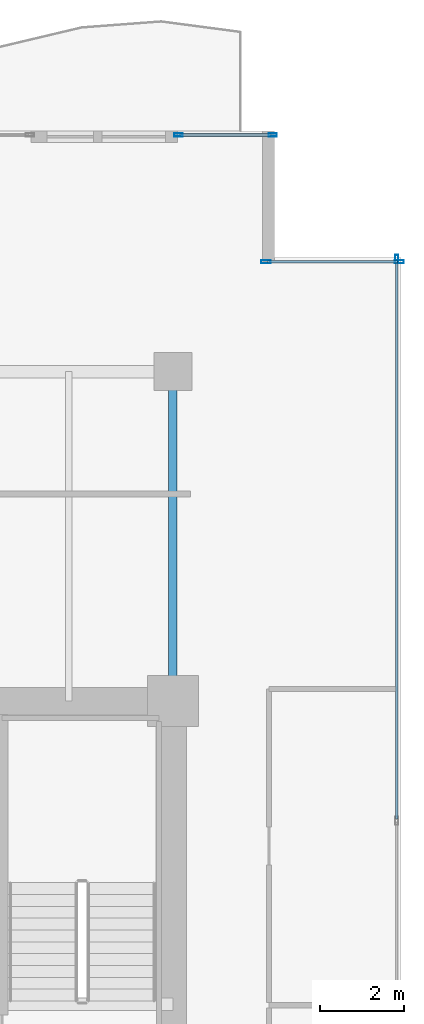
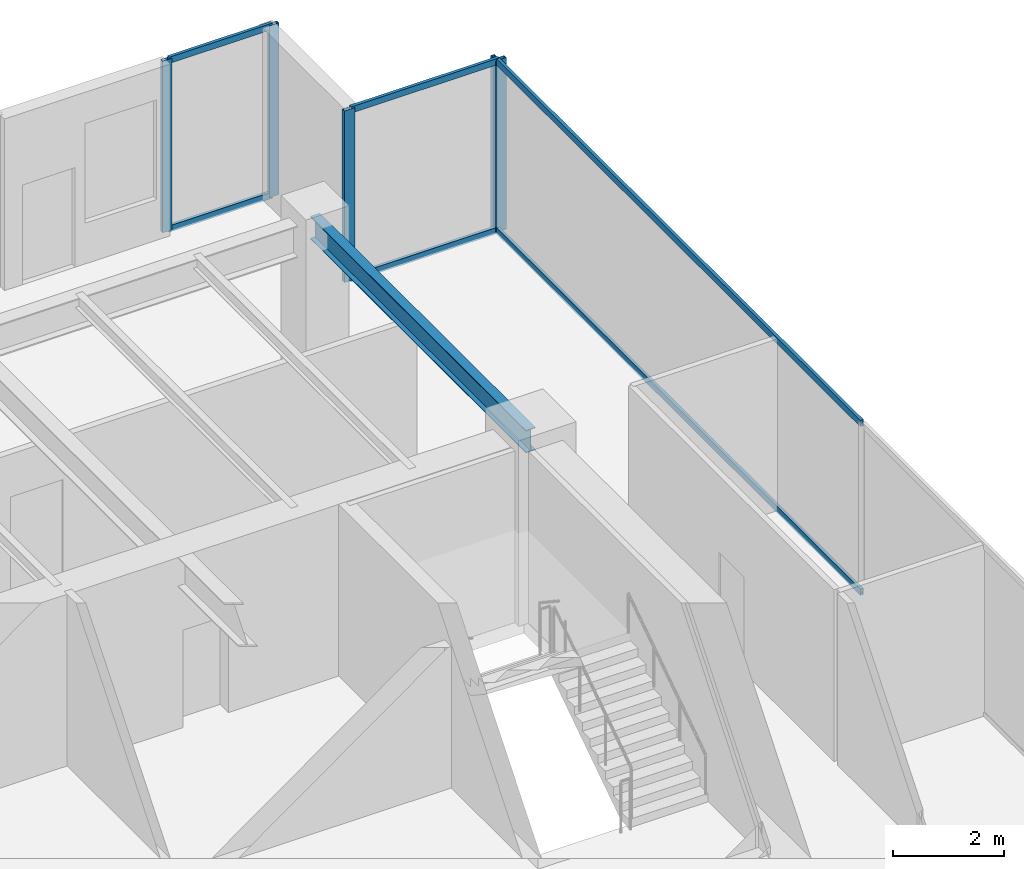
# One storey, part 21 of 30: 11 members, 1 beam, 3 elements without a shape of their own.
"""IFC4 building model written with IfcOpenShell, lengths in metres."""

from ifc_helpers import new_model, si_unit, direction, frame, origin, origin_2d, place, context, subcontext, project, spatial, hollow_rectangle, i_section, extrude, source, transform, mapped, material, layer, layer_set, material_profile, profile_set, type_object, type_shapes, element, aggregate, save


model = new_model("IFC4")

# Units and contexts
model_context = context("Model", 3, precision=1e-05, world=origin(), true_north=direction((0.0, 1.0)))
body_context = subcontext(model_context, "Body", "Model", "MODEL_VIEW")
ifc_project = project(units=[si_unit("LENGTHUNIT", "METRE"), si_unit("AREAUNIT", "SQUARE_METRE"), si_unit("VOLUMEUNIT", "CUBIC_METRE"), si_unit("PLANEANGLEUNIT", "RADIAN"), si_unit("MASSUNIT", "GRAM", prefix="KILO")], contexts=[model_context])

# Site, building, storey
site_placement = place(None, origin())
site = spatial("IfcSite", under=ifc_project, at=site_placement, CompositionType="ELEMENT")
building_placement = place(site_placement, origin())
building = spatial("IfcBuilding", under=site, at=building_placement, Name="Haelvirn Gate Laboratories", CompositionType="ELEMENT")
storey_placement = place(building_placement, frame((0.0, 0.0, 146.10009765625)))
storey = spatial("IfcBuildingStorey", under=building, at=storey_placement, Name="L35", CompositionType="ELEMENT", Elevation=146.10009765625)

# Beam
ifc_material_1 = material(Name="Steel SM355", Category="steel")
ifc_material_profile_1 = material_profile(ifc_material_1, i_section(OverallWidth=0.199951171875, OverallDepth=0.5, WebThickness=0.010009765625, FlangeThickness=0.01611328125, at=origin_2d()), Name="H-500x200x10x16")
ifc_profile_set_1 = profile_set([ifc_material_profile_1], Name="Steel SM355")
beam_type = type_object("IfcBeamType", Name="BM-SP-500", PredefinedType="SPANDREL", material=ifc_profile_set_1)
shared_shape_1 = source(origin(), body_context, "Body", "SweptSolid", [
    extrude(i_section(OverallWidth=0.199951171875, OverallDepth=0.5, WebThickness=0.010009765625, FlangeThickness=0.01611328125, at=origin_2d()), origin(), (0.0, 0.0, 1.0), 7.800048828125),
])
type_shapes(beam_type, [shared_shape_1])
beam_placement = place(storey_placement, frame((67.39990234375, 33.800048828125, 3.539794921875), z_axis=(0.0, 1.0, 0.0), x_axis=(-1.0, 0.0, 0.0)))
element("IfcBeam", 1, at=beam_placement, inside=storey, type_object=beam_type, Name="L35 Perimeter Spandrel X67.4 (33.8-41.6)", PredefinedType="SPANDREL", context=body_context, shape_type="MappedRepresentation", body=[
    mapped(shared_shape_1, transform((0.0, 0.0, 0.0), scale=1.0)),
])

# Curtain wall, members
ifc_material_2 = material(Name="Anodised bronze unitised aluminium & triple low-E glass", Category="aluminium")
ifc_layer_1 = layer(ifc_material_2, 0.181884765625, Name="CW-SYS-5")
ifc_layer_set_1 = layer_set([ifc_layer_1], Name="Anodised bronze unitised aluminium & triple low-E glass")
curtain_wall_type_1 = type_object("IfcCurtainWallType", Name="CW-SYS-5", PredefinedType="NOTDEFINED", material=ifc_layer_set_1)
curtain_wall_1_placement = place(storey_placement, origin())
curtain_wall_1 = element("IfcCurtainWall", 2, at=curtain_wall_1_placement, inside=storey, type_object=curtain_wall_type_1, Name="L35 Unitised Curtain Wall CW-L35-P0-E08-1", PredefinedType="NOTDEFINED")
ifc_material_3 = material(Name="Extruded aluminium 6063-T6 (anodised bronze)", Category="aluminium")
ifc_material_profile_2 = material_profile(ifc_material_3, hollow_rectangle(XDim=0.06494140625, YDim=0.139892578125, WallThickness=0.00390625, at=origin_2d()), Name="CWT-140x65x4")
ifc_profile_set_2 = profile_set([ifc_material_profile_2], Name="Extruded aluminium 6063-T6 (anodised bronze)")
member_type_1 = type_object("IfcMemberType", Name="CWT-T140", PredefinedType="USERDEFINED", material=ifc_profile_set_2)
shared_shape_2 = source(origin(), body_context, "Body", "SweptSolid", [
    extrude(hollow_rectangle(XDim=0.06494140625, YDim=0.139892578125, WallThickness=0.00390625, at=origin_2d()), origin(), (0.0, 0.0, 1.0), 3.080078125),
])
member_1_placement = place(storey_placement, frame((69.639892578125, 44.199951171875, 0.032470703125), z_axis=(1.0, 0.0, 0.0), x_axis=(0.0, 1.0, 0.0)))
member_1 = element("IfcMember", 3, at=member_1_placement, type_object=member_type_1, Name="CW5 transom 1.1", ObjectType="TRANSOM", PredefinedType="USERDEFINED", context=body_context, shape_type="MappedRepresentation", body=[
    mapped(shared_shape_2, transform((0.0, 0.0, 0.0), scale=1.0)),
])
member_2_placement = place(storey_placement, frame((69.639892578125, 44.199951171875, 3.75732421875), z_axis=(1.0, 0.0, 0.0), x_axis=(0.0, 1.0, 0.0)))
member_2 = element("IfcMember", 4, at=member_2_placement, type_object=member_type_1, Name="CW5 transom 1.2", ObjectType="TRANSOM", PredefinedType="USERDEFINED", context=body_context, shape_type="MappedRepresentation", body=[
    mapped(shared_shape_2, transform((0.0, 0.0, 0.0), scale=1.0)),
])

ifc_layer_2 = layer(ifc_material_2, 0.179931640625, Name="CW-SYS-3")
ifc_layer_set_2 = layer_set([ifc_layer_2], Name="Anodised bronze unitised aluminium & triple low-E glass")
curtain_wall_type_2 = type_object("IfcCurtainWallType", Name="CW-SYS-3", PredefinedType="NOTDEFINED", material=ifc_layer_set_2)
curtain_wall_2_placement = place(storey_placement, origin())
curtain_wall_2 = element("IfcCurtainWall", 5, at=curtain_wall_2_placement, inside=storey, type_object=curtain_wall_type_2, Name="L35 Unitised Curtain Wall CW-L35-P0-E07", PredefinedType="NOTDEFINED")
shared_shape_3 = source(origin(), body_context, "Body", "SweptSolid", [
    extrude(hollow_rectangle(XDim=0.06494140625, YDim=0.139892578125, WallThickness=0.00390625, at=origin_2d()), origin(), (0.0, 0.0, 1.0), 13.220947265625),
])
member_3_placement = place(storey_placement, frame((72.699951171875, 31.004150390625, 0.032470703125), z_axis=(0.0, 1.0, 0.0), x_axis=(-1.0, 0.0, 0.0)))
member_3 = element("IfcMember", 6, at=member_3_placement, type_object=member_type_1, Name="CW3 transom 3.1", ObjectType="TRANSOM", PredefinedType="USERDEFINED", context=body_context, shape_type="MappedRepresentation", body=[
    mapped(shared_shape_3, transform((0.0, 0.0, 0.0), scale=1.0)),
])
member_4_placement = place(storey_placement, frame((72.699951171875, 31.004150390625, 3.75732421875), z_axis=(0.0, 1.0, 0.0), x_axis=(-1.0, 0.0, 0.0)))
member_4 = element("IfcMember", 7, at=member_4_placement, type_object=member_type_1, Name="CW3 transom 3.2", ObjectType="TRANSOM", PredefinedType="USERDEFINED", context=body_context, shape_type="MappedRepresentation", body=[
    mapped(shared_shape_3, transform((0.0, 0.0, 0.0), scale=1.0)),
])
ifc_material_profile_3 = material_profile(ifc_material_3, hollow_rectangle(XDim=0.074951171875, YDim=0.199951171875, WallThickness=0.0048828125, at=origin_2d()), Name="CWM-200x75x5")
ifc_profile_set_3 = profile_set([ifc_material_profile_3], Name="Extruded aluminium 6063-T6 (anodised bronze)")
member_type_2 = type_object("IfcMemberType", Name="CWM-T200", PredefinedType="MULLION", material=ifc_profile_set_3)
shared_shape_4 = source(origin(), body_context, "Body", "SweptSolid", [
    extrude(hollow_rectangle(XDim=0.074951171875, YDim=0.199951171875, WallThickness=0.0048828125, at=origin_2d()), origin(), (0.0, 0.0, 1.0), 3.789794921875),
])
type_shapes(member_type_2, [shared_shape_4])
member_5_placement = place(storey_placement, frame((72.699951171875, 44.262451171875, 0.0), z_axis=(0.0, 0.0, 1.0), x_axis=(-1.0, 0.0, 0.0)))
member_5 = element("IfcMember", 8, at=member_5_placement, type_object=member_type_2, Name="CW3 mullion 4", PredefinedType="MULLION", context=body_context, shape_type="MappedRepresentation", body=[
    mapped(shared_shape_4, transform((0.0, 0.0, 0.0), scale=1.0)),
])
aggregate(curtain_wall_2, [member_5, member_3, member_4])

curtain_wall_3_placement = place(storey_placement, origin())
curtain_wall_3 = element("IfcCurtainWall", 9, at=curtain_wall_3_placement, inside=storey, type_object=curtain_wall_type_2, Name="L35 Unitised Curtain Wall CW-L35-P0-E10-2", PredefinedType="NOTDEFINED")
member_6_placement = place(storey_placement, frame((67.527587890625, 47.199951171875, 0.0), z_axis=(0.0, 0.0, 1.0), x_axis=(0.0, 1.0, 0.0)))
member_6 = element("IfcMember", 10, at=member_6_placement, type_object=member_type_2, Name="CW3 mullion 1", PredefinedType="MULLION", context=body_context, shape_type="MappedRepresentation", body=[
    mapped(shared_shape_4, transform((0.0, 0.0, 0.0), scale=1.0)),
])
member_7_placement = place(storey_placement, frame((69.762451171875, 47.199951171875, 0.0), z_axis=(0.0, 0.0, 1.0), x_axis=(0.0, 1.0, 0.0)))
member_7 = element("IfcMember", 11, at=member_7_placement, type_object=member_type_2, Name="CW3 mullion 2", PredefinedType="MULLION", context=body_context, shape_type="MappedRepresentation", body=[
    mapped(shared_shape_4, transform((0.0, 0.0, 0.0), scale=1.0)),
])

# Member
ifc_material_profile_4 = material_profile(ifc_material_3, hollow_rectangle(XDim=0.080078125, YDim=0.219970703125, WallThickness=0.006103515625, at=origin_2d()), Name="CWM-220x80x6")
ifc_profile_set_4 = profile_set([ifc_material_profile_4], Name="Extruded aluminium 6063-T6 (anodised bronze)")
member_type_3 = type_object("IfcMemberType", Name="CWM-T220", PredefinedType="MULLION", material=ifc_profile_set_4)
shared_shape_5 = source(origin(), body_context, "Body", "SweptSolid", [
    extrude(hollow_rectangle(XDim=0.080078125, YDim=0.219970703125, WallThickness=0.006103515625, at=origin_2d()), origin(), (0.0, 0.0, 1.0), 3.789794921875),
])
type_shapes(member_type_3, [shared_shape_5])
member_8_placement = place(storey_placement, frame((69.60009765625, 44.199951171875, 0.0), z_axis=(0.0, 0.0, 1.0), x_axis=(0.0, 1.0, 0.0)))
member_8 = element("IfcMember", 12, at=member_8_placement, type_object=member_type_3, Name="CW5 mullion 1", PredefinedType="MULLION", context=body_context, shape_type="MappedRepresentation", body=[
    mapped(shared_shape_5, transform((0.0, 0.0, 0.0), scale=1.0)),
])

member_9_placement = place(storey_placement, frame((72.760009765625, 44.199951171875, 0.0), z_axis=(0.0, 0.0, 1.0), x_axis=(0.0, 1.0, 0.0)))
member_9 = element("IfcMember", 13, at=member_9_placement, type_object=member_type_3, Name="CW5 mullion 2", PredefinedType="MULLION", context=body_context, shape_type="MappedRepresentation", body=[
    mapped(shared_shape_5, transform((0.0, 0.0, 0.0), scale=1.0)),
])

aggregate(curtain_wall_1, [member_8, member_9, member_1, member_2])

shared_shape_6 = source(origin(), body_context, "Body", "SweptSolid", [
    extrude(hollow_rectangle(XDim=0.06494140625, YDim=0.139892578125, WallThickness=0.00390625, at=origin_2d()), origin(), (0.0, 0.0, 1.0), 2.16015625),
])
type_shapes(member_type_1, [shared_shape_2, shared_shape_3, shared_shape_6])
member_10_placement = place(storey_placement, frame((67.56494140625, 47.199951171875, 0.032470703125), z_axis=(1.0, 0.0, 0.0), x_axis=(0.0, 1.0, 0.0)))
member_10 = element("IfcMember", 14, at=member_10_placement, type_object=member_type_1, Name="CW3 transom 1.1", ObjectType="TRANSOM", PredefinedType="USERDEFINED", context=body_context, shape_type="MappedRepresentation", body=[
    mapped(shared_shape_6, transform((0.0, 0.0, 0.0), scale=1.0)),
])

member_11_placement = place(storey_placement, frame((67.56494140625, 47.199951171875, 3.75732421875), z_axis=(1.0, 0.0, 0.0), x_axis=(0.0, 1.0, 0.0)))
member_11 = element("IfcMember", 15, at=member_11_placement, type_object=member_type_1, Name="CW3 transom 1.2", ObjectType="TRANSOM", PredefinedType="USERDEFINED", context=body_context, shape_type="MappedRepresentation", body=[
    mapped(shared_shape_6, transform((0.0, 0.0, 0.0), scale=1.0)),
])

aggregate(curtain_wall_3, [member_6, member_7, member_10, member_11])

save(model, "model.ifc")
